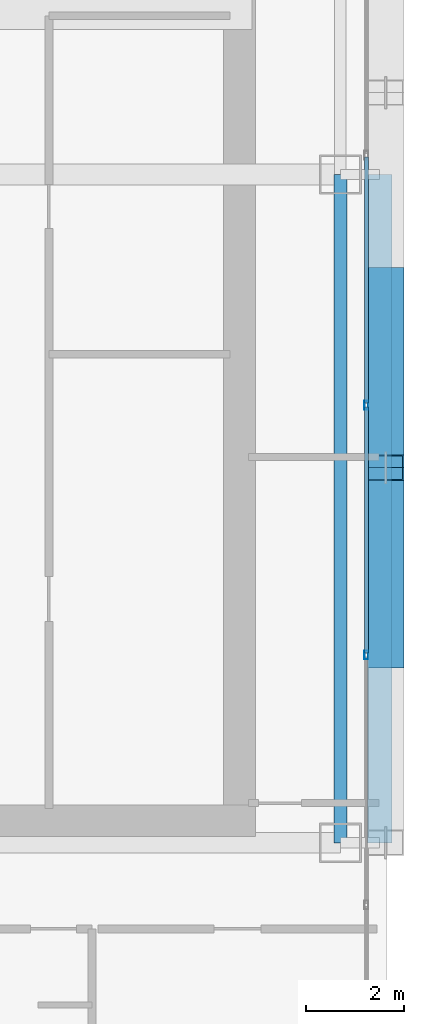
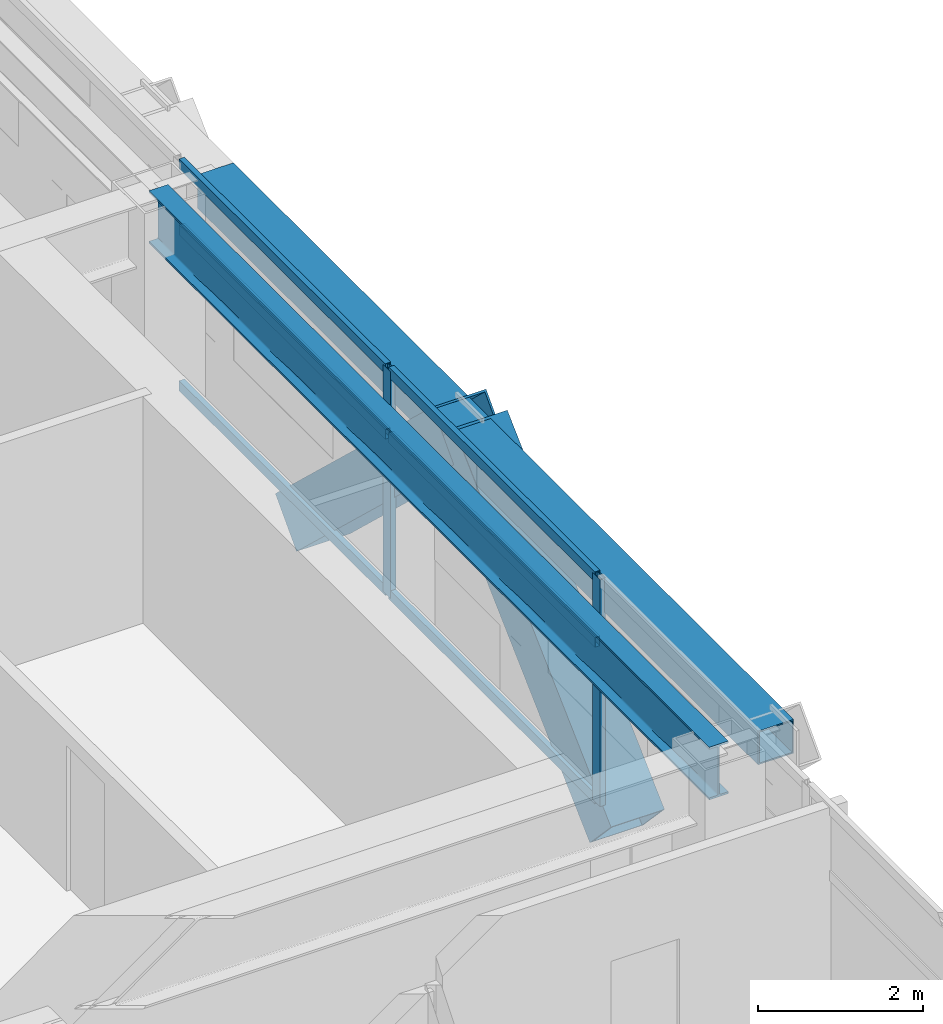
# One storey, part 13 of 35: 10 members, 2 beams, 1 element without a shape of its own.
"""IFC4 building model written with IfcOpenShell, lengths in metres."""

from ifc_helpers import new_model, si_unit, direction, frame, origin, origin_2d, place, context, subcontext, project, spatial, hollow_rectangle, i_section, extrude, source, transform, mapped, material, layer, layer_set, material_profile, profile_set, type_object, element, aggregate, save


model = new_model("IFC4")

# Units and contexts
model_context = context("Model", 3, precision=1e-05, world=origin(), true_north=direction((0.0, 1.0)))
body_context = subcontext(model_context, "Body", "Model", "MODEL_VIEW")
ifc_project = project(units=[si_unit("LENGTHUNIT", "METRE"), si_unit("AREAUNIT", "SQUARE_METRE"), si_unit("VOLUMEUNIT", "CUBIC_METRE"), si_unit("PLANEANGLEUNIT", "RADIAN"), si_unit("MASSUNIT", "GRAM", prefix="KILO")], contexts=[model_context])

# Site, building, storey
site_placement = place(None, origin())
site = spatial("IfcSite", under=ifc_project, at=site_placement, CompositionType="ELEMENT")
building_placement = place(site_placement, origin())
building = spatial("IfcBuilding", under=site, at=building_placement, Name="Ocotamira Hotel", CompositionType="ELEMENT")
storey_placement = place(building_placement, frame((0.0, 0.0, 100.800048828125)))
storey = spatial("IfcBuildingStorey", under=building, at=storey_placement, Name="L24", CompositionType="ELEMENT", Elevation=100.800048828125)

# Beams
ifc_material_1 = material(Name="Steel ASTM A992 Grade 50", Category="steel")
ifc_material_profile_1 = material_profile(ifc_material_1, i_section(OverallWidth=0.26611328125, OverallDepth=0.779052734375, WebThickness=0.0166015625, FlangeThickness=0.030029296875, FilletRadius=0.01806640625, at=origin_2d()), Name="W30X148")
ifc_profile_set_1 = profile_set([ifc_material_profile_1], Name="Steel ASTM A992 Grade 50")
beam_type_1 = type_object("IfcBeamType", Name="BM-GIRD-W30X148", PredefinedType="BEAM", material=ifc_profile_set_1)
shared_shape_1 = source(origin(), body_context, "Body", "SweptSolid", [
    extrude(i_section(OverallWidth=0.26611328125, OverallDepth=0.779052734375, WebThickness=0.0166015625, FlangeThickness=0.030029296875, FilletRadius=0.01806640625, at=origin_2d()), origin(), (0.0, 0.0, 1.0), 13.599853515625),
])
beam_1_placement = place(storey_placement, frame((55.050048828125, 14.550048828125, 2.970458984375), z_axis=(0.0, 1.0, 0.0), x_axis=(-1.0, 0.0, 0.0)))
element("IfcBeam", 1, at=beam_1_placement, inside=storey, type_object=beam_type_1, Name="L24 Beam X55.05 Y14.55-28.15", PredefinedType="BEAM", context=body_context, shape_type="MappedRepresentation", body=[
    mapped(shared_shape_1, transform((0.0, 0.0, 0.0), scale=1.0)),
])
ifc_material_2 = material(Name="Steel ASTM A500 Grade C", Category="steel")
ifc_material_profile_2 = material_profile(ifc_material_2, hollow_rectangle(XDim=0.5, YDim=0.5, WallThickness=0.02001953125, at=origin_2d()), Name="HSS500X500X20")
ifc_profile_set_2 = profile_set([ifc_material_profile_2], Name="Steel ASTM A500 Grade C")
beam_type_2 = type_object("IfcBeamType", Name="BM-SPAN-HSS500", PredefinedType="USERDEFINED", material=ifc_profile_set_2)
shared_shape_2 = source(origin(), body_context, "Body", "SweptSolid", [
    extrude(hollow_rectangle(XDim=0.5, YDim=0.5, WallThickness=0.02001953125, at=origin_2d()), origin(), (0.0, 0.0, 1.0), 13.599853515625),
])
beam_2_placement = place(storey_placement, frame((55.85009765625, 14.550048828125, 3.10986328125), z_axis=(0.0, 1.0, 0.0), x_axis=(-1.0, 0.0, 0.0)))
element("IfcBeam", 2, at=beam_2_placement, inside=storey, type_object=beam_type_2, Name="L24 Edge Spandrel E Y14.55-28.15", ObjectType="SPANDREL", PredefinedType="USERDEFINED", context=body_context, shape_type="MappedRepresentation", body=[
    mapped(shared_shape_2, transform((0.0, 0.0, 0.0), scale=1.0)),
])

# Members
ifc_material_3 = material(Name="Pale-metal coated steel ASTM A913 Grade 65", Category="steel")
ifc_material_profile_3 = material_profile(ifc_material_3, hollow_rectangle(XDim=0.75, YDim=0.75, WallThickness=0.028076171875, at=origin_2d()), Name="BOX750X750X28")
ifc_profile_set_3 = profile_set([ifc_material_profile_3], Name="Pale-metal coated steel ASTM A913 Grade 65")
member_type_1 = type_object("IfcMemberType", Name="MEM-EXO-BOX750", PredefinedType="BRACE", material=ifc_profile_set_3)
shared_shape_3 = source(origin(), body_context, "Body", "SweptSolid", [
    extrude(hollow_rectangle(XDim=0.75, YDim=0.75, WallThickness=0.028076171875, at=origin_2d()), origin(), (0.0, 0.0, 1.0), 5.24658203125),
])
for number, where, z_axis, x_axis, name in (
    (3, (55.969970703125, 18.36669921875, -0.489990234375), (0.0, 0.72746596067, 0.686143772154), (-1.0, 0.0, 0.0), "L24 Exoskeleton Diagrid E0.2"),
    (4, (55.969970703125, 26.0, -0.489990234375), (0.0, -0.72746596067, 0.686143772154), (1.0, 0.0, 0.0), "L24 Exoskeleton Diagrid E1.1"),
):
    element("IfcMember", number, at=place(storey_placement, frame(where, z_axis=z_axis, x_axis=x_axis)), inside=storey, type_object=member_type_1, Name=name, PredefinedType="BRACE", context=body_context, shape_type="MappedRepresentation", body=[
        mapped(shared_shape_3, transform((0.0, 0.0, 0.0), scale=1.0)),
    ])

# Curtain wall, members
ifc_material_4 = material(Name="Anodised pale-metal aluminium and solar glass", Category="aluminium")
ifc_layer = layer(ifc_material_4, 0.179931640625)
ifc_layer_set = layer_set([ifc_layer], Name="Anodised pale-metal aluminium and solar glass")
curtain_wall_type = type_object("IfcCurtainWallType", Name="CW-SYS3-Z2", PredefinedType="NOTDEFINED", material=ifc_layer_set)
curtain_wall_placement = place(storey_placement, origin())
curtain_wall = element("IfcCurtainWall", 5, at=curtain_wall_placement, inside=storey, type_object=curtain_wall_type, Name="L24 Curtain Wall CW-3 CW-L24-E", PredefinedType="NOTDEFINED")
ifc_material_5 = material(Name="Anodised pale-metal aluminium 6063-T6", Category="aluminium")
ifc_material_profile_4 = material_profile(ifc_material_5, hollow_rectangle(XDim=0.074951171875, YDim=0.14990234375, WallThickness=0.006103515625, at=origin_2d()), Name="HSS150X75X6")
ifc_profile_set_4 = profile_set([ifc_material_profile_4], Name="Anodised pale-metal aluminium 6063-T6")
member_type_2 = type_object("IfcMemberType", Name="CWT-150X75", PredefinedType="USERDEFINED", material=ifc_profile_set_4)
shared_shape_4 = source(origin(), body_context, "Body", "SweptSolid", [
    extrude(hollow_rectangle(XDim=0.074951171875, YDim=0.14990234375, WallThickness=0.006103515625, at=origin_2d()), origin(), (0.0, 0.0, 1.0), 5.005859375),
])
member_1_placement = place(storey_placement, frame((55.580078125, 18.411376953125, 0.037353515625), z_axis=(0.0, 1.0, 0.0), x_axis=(-1.0, 0.0, 0.0)))
member_1 = element("IfcMember", 6, at=member_1_placement, type_object=member_type_2, Name="CW-3 transom 3.1", ObjectType="TRANSOM", PredefinedType="USERDEFINED", context=body_context, shape_type="MappedRepresentation", body=[
    mapped(shared_shape_4, transform((0.0, 0.0, 0.0), scale=1.0)),
])
member_2_placement = place(storey_placement, frame((55.580078125, 18.411376953125, 2.349853515625), z_axis=(0.0, 1.0, 0.0), x_axis=(-1.0, 0.0, 0.0)))
member_2 = element("IfcMember", 7, at=member_2_placement, type_object=member_type_2, Name="CW-3 transom 3.2", ObjectType="TRANSOM", PredefinedType="USERDEFINED", context=body_context, shape_type="MappedRepresentation", body=[
    mapped(shared_shape_4, transform((0.0, 0.0, 0.0), scale=1.0)),
])
member_3_placement = place(storey_placement, frame((55.580078125, 18.411376953125, 3.322509765625), z_axis=(0.0, 1.0, 0.0), x_axis=(-1.0, 0.0, 0.0)))
member_3 = element("IfcMember", 8, at=member_3_placement, type_object=member_type_2, Name="CW-3 transom 3.3", ObjectType="TRANSOM", PredefinedType="USERDEFINED", context=body_context, shape_type="MappedRepresentation", body=[
    mapped(shared_shape_4, transform((0.0, 0.0, 0.0), scale=1.0)),
])
member_4_placement = place(storey_placement, frame((55.580078125, 23.4970703125, 0.037353515625), z_axis=(0.0, 1.0, 0.0), x_axis=(-1.0, 0.0, 0.0)))
member_4 = element("IfcMember", 9, at=member_4_placement, type_object=member_type_2, Name="CW-3 transom 4.1", ObjectType="TRANSOM", PredefinedType="USERDEFINED", context=body_context, shape_type="MappedRepresentation", body=[
    mapped(shared_shape_4, transform((0.0, 0.0, 0.0), scale=1.0)),
])
member_5_placement = place(storey_placement, frame((55.580078125, 23.4970703125, 2.349853515625), z_axis=(0.0, 1.0, 0.0), x_axis=(-1.0, 0.0, 0.0)))
member_5 = element("IfcMember", 10, at=member_5_placement, type_object=member_type_2, Name="CW-3 transom 4.2", ObjectType="TRANSOM", PredefinedType="USERDEFINED", context=body_context, shape_type="MappedRepresentation", body=[
    mapped(shared_shape_4, transform((0.0, 0.0, 0.0), scale=1.0)),
])
member_6_placement = place(storey_placement, frame((55.580078125, 23.4970703125, 3.322509765625), z_axis=(0.0, 1.0, 0.0), x_axis=(-1.0, 0.0, 0.0)))
member_6 = element("IfcMember", 11, at=member_6_placement, type_object=member_type_2, Name="CW-3 transom 4.3", ObjectType="TRANSOM", PredefinedType="USERDEFINED", context=body_context, shape_type="MappedRepresentation", body=[
    mapped(shared_shape_4, transform((0.0, 0.0, 0.0), scale=1.0)),
])
ifc_material_profile_5 = material_profile(ifc_material_5, hollow_rectangle(XDim=0.080078125, YDim=0.179931640625, WallThickness=0.006103515625, at=origin_2d()), Name="HSS180X80X6")
ifc_profile_set_5 = profile_set([ifc_material_profile_5], Name="Anodised pale-metal aluminium 6063-T6")
member_type_3 = type_object("IfcMemberType", Name="CWM-180X75", PredefinedType="MULLION", material=ifc_profile_set_5)
shared_shape_5 = source(origin(), body_context, "Body", "SweptSolid", [
    extrude(hollow_rectangle(XDim=0.080078125, YDim=0.179931640625, WallThickness=0.006103515625, at=origin_2d()), origin(), (0.0, 0.0, 1.0), 3.35986328125),
])
member_7_placement = place(storey_placement, frame((55.580078125, 18.371337890625, 0.0), z_axis=(0.0, 0.0, 1.0), x_axis=(-1.0, 0.0, 0.0)))
member_7 = element("IfcMember", 12, at=member_7_placement, type_object=member_type_3, Name="CW-3 mullion 3", PredefinedType="MULLION", context=body_context, shape_type="MappedRepresentation", body=[
    mapped(shared_shape_5, transform((0.0, 0.0, 0.0), scale=1.0)),
])
member_8_placement = place(storey_placement, frame((55.580078125, 23.45703125, 0.0), z_axis=(0.0, 0.0, 1.0), x_axis=(-1.0, 0.0, 0.0)))
member_8 = element("IfcMember", 13, at=member_8_placement, type_object=member_type_3, Name="CW-3 mullion 4", PredefinedType="MULLION", context=body_context, shape_type="MappedRepresentation", body=[
    mapped(shared_shape_5, transform((0.0, 0.0, 0.0), scale=1.0)),
])
aggregate(curtain_wall, [member_7, member_8, member_1, member_2, member_3, member_4, member_5, member_6])

save(model, "model.ifc")
